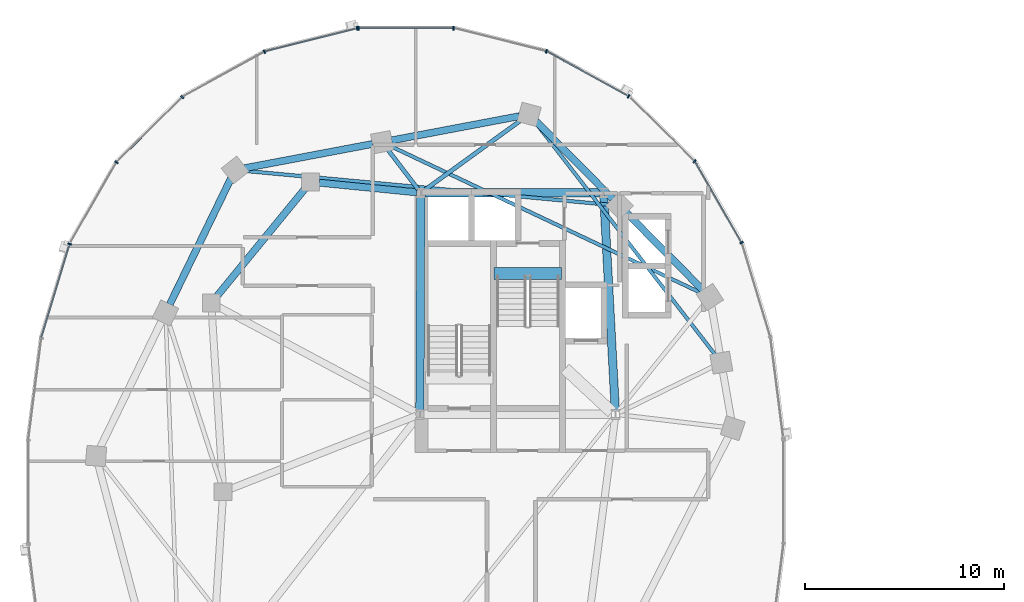
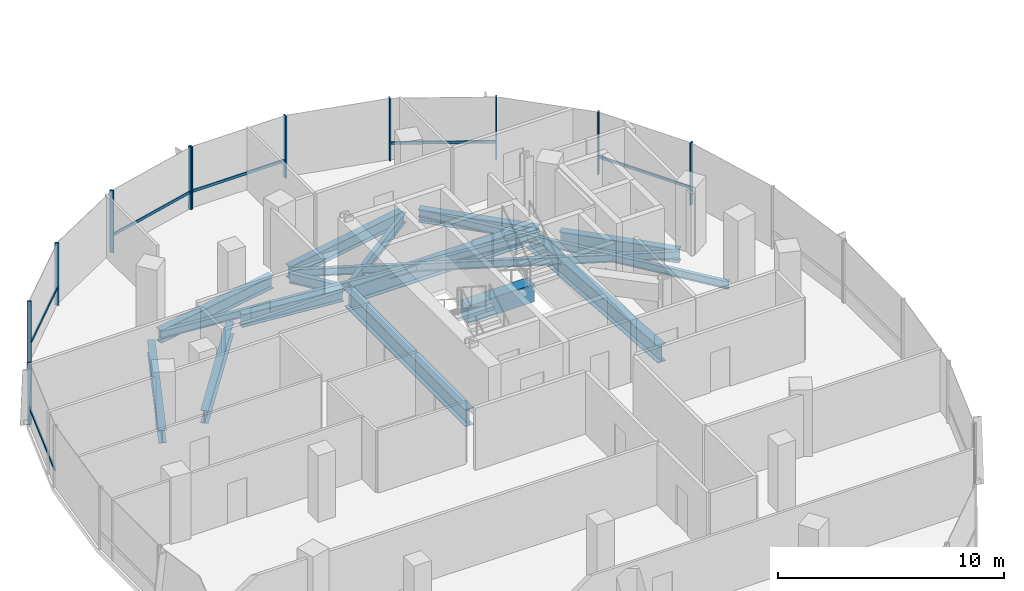
# One storey, part 5 of 23: 17 members, 16 beams, 2 elements without a shape of their own.
"""IFC4 building model written with IfcOpenShell, lengths in metres."""

from ifc_helpers import new_model, si_unit, direction, frame, origin, origin_2d, place, context, subcontext, project, spatial, rectangle, i_section, extrude, material, material_profile, profile_set, type_object, element, aggregate, save


model = new_model("IFC4")

# Units and contexts
model_context = context("Model", 3, precision=1e-05, world=origin(), true_north=direction((0.0, 1.0)))
body_context = subcontext(model_context, "Body", "Model", "MODEL_VIEW")
ifc_project = project(units=[si_unit("LENGTHUNIT", "METRE"), si_unit("AREAUNIT", "SQUARE_METRE"), si_unit("VOLUMEUNIT", "CUBIC_METRE"), si_unit("PLANEANGLEUNIT", "RADIAN"), si_unit("MASSUNIT", "GRAM", prefix="KILO"), si_unit("THERMODYNAMICTEMPERATUREUNIT", "KELVIN"), si_unit("POWERUNIT", "WATT")], contexts=[model_context])

# Site, building, storey
site_placement = place(None, origin())
site = spatial("IfcSite", under=ifc_project, at=site_placement, CompositionType="ELEMENT")
building_placement = place(site_placement, origin())
building = spatial("IfcBuilding", under=site, at=building_placement, Name="Cundina Bronze Exchange", CompositionType="ELEMENT")
storey_placement = place(building_placement, frame((0.0, 0.0, 176.39990234375)))
storey = spatial("IfcBuildingStorey", under=building, at=storey_placement, Name="L46", CompositionType="ELEMENT", Elevation=176.39990234375)

# Beams
ifc_material_1 = material(Name="Concrete C60/75", Category="concrete")
ifc_material_profile_1 = material_profile(ifc_material_1, rectangle(XDim=0.60009765625, YDim=0.949951171875, at=origin_2d()), Name="RC600X950", Category="concrete")
ifc_profile_set_1 = profile_set([ifc_material_profile_1], Name="Concrete C60/75")
beam_type_1 = type_object("IfcBeamType", Name="BM-COUP-RC950", PredefinedType="LINTEL", material=ifc_profile_set_1)
beam_1_placement = place(storey_placement, frame((-27.56005859375, 10.97998046875, -0.474853515625), z_axis=(1.0, 0.0, 0.0), x_axis=(0.0, 1.0, 0.0)))
element("IfcBeam", 1, at=beam_1_placement, inside=storey, type_object=beam_type_1, Name="L46 Stair W2 Landing Header Beam", PredefinedType="LINTEL", context=body_context, shape_type="SweptSolid", body=[
    extrude(rectangle(XDim=0.60009765625, YDim=0.949951171875, at=origin_2d()), origin(), (0.0, 0.0, 1.0), 3.400146484375),
])
ifc_material_2 = material(Name="Steel ASTM A992 Grade 50", Category="steel")
ifc_material_profile_2 = material_profile(ifc_material_2, i_section(OverallWidth=0.2119140625, OverallDepth=0.5439453125, WebThickness=0.01318359375, FlangeThickness=0.021240234375, FilletRadius=0.013916015625, at=origin_2d()), Name="W21X83", Category="steel")
ifc_profile_set_2 = profile_set([ifc_material_profile_2], Name="Steel ASTM A992 Grade 50")
beam_type_2 = type_object("IfcBeamType", Name="BM-FLR-W21A", PredefinedType="BEAM", material=ifc_profile_set_2)
beam_2_placement = place(storey_placement, frame((-31.084716796875, 15.169677734375, -0.511962890625), z_axis=(0.809693047063, 0.586853618492, 0.0), x_axis=(-0.586853618492, 0.809693047063, 0.0)))
element("IfcBeam", 2, at=beam_2_placement, inside=storey, type_object=beam_type_2, Name="L46 Leg W Radial Floor Beam 04", PredefinedType="BEAM", context=body_context, shape_type="SweptSolid", body=[
    extrude(i_section(OverallWidth=0.2119140625, OverallDepth=0.5439453125, WebThickness=0.01318359375, FlangeThickness=0.021240234375, FilletRadius=0.013916015625, at=origin_2d()), origin(), (0.0, 0.0, 1.0), 6.038818359375),
])
beam_3_placement = place(storey_placement, frame((-31.373779296875, 15.2119140625, -0.511962890625), z_axis=(-0.607450107571, 0.794357832977, 0.0), x_axis=(-0.794357832977, -0.607450107571, 0.0)))
element("IfcBeam", 3, at=beam_3_placement, inside=storey, type_object=beam_type_2, Name="L46 Leg W Radial Floor Beam 05", PredefinedType="BEAM", context=body_context, shape_type="SweptSolid", body=[
    extrude(i_section(OverallWidth=0.2119140625, OverallDepth=0.5439453125, WebThickness=0.01318359375, FlangeThickness=0.021240234375, FilletRadius=0.013916015625, at=origin_2d()), origin(), (0.0, 0.0, 1.0), 2.518310546875),
])
ifc_material_profile_3 = material_profile(ifc_material_2, i_section(OverallWidth=0.178955078125, OverallDepth=0.409912109375, WebThickness=0.0087890625, FlangeThickness=0.014404296875, FilletRadius=0.010986328125, at=origin_2d()), Name="W16X45", Category="steel")
ifc_profile_set_3 = profile_set([ifc_material_profile_3], Name="Steel ASTM A992 Grade 50")
beam_type_3 = type_object("IfcBeamType", Name="BM-JST-W16", PredefinedType="JOIST", material=ifc_profile_set_3)
beam_4_placement = place(storey_placement, frame((-16.423583984375, 6.885986328125, -0.44482421875), z_axis=(-0.61208354334, 0.790793105668, 0.0), x_axis=(-0.790793105668, -0.61208354334, 0.0)))
element("IfcBeam", 4, at=beam_4_placement, inside=storey, type_object=beam_type_3, Name="L46 Leg W Lobe Floor Joist 01-04", PredefinedType="JOIST", context=body_context, shape_type="SweptSolid", body=[
    extrude(i_section(OverallWidth=0.178955078125, OverallDepth=0.409912109375, WebThickness=0.0087890625, FlangeThickness=0.014404296875, FilletRadius=0.010986328125, at=origin_2d()), origin(), (0.0, 0.0, 1.0), 14.830810546875),
])
beam_5_placement = place(storey_placement, frame((-17.14111328125, 10.008544921875, -0.44482421875), z_axis=(-0.904074252188, 0.427375416385, 0.0), x_axis=(-0.427375416385, -0.904074252188, 0.0)))
element("IfcBeam", 5, at=beam_5_placement, inside=storey, type_object=beam_type_3, Name="L46 Leg W Lobe Floor Joist 02-05", PredefinedType="JOIST", context=body_context, shape_type="SweptSolid", body=[
    extrude(i_section(OverallWidth=0.178955078125, OverallDepth=0.409912109375, WebThickness=0.0087890625, FlangeThickness=0.014404296875, FilletRadius=0.010986328125, at=origin_2d()), origin(), (0.0, 0.0, 1.0), 17.274658203125),
])
beam_6_placement = place(storey_placement, frame((-21.73583984375, 14.4453125, -0.44482421875), z_axis=(-0.995701840093, 0.092616659595, 0.0), x_axis=(-0.092616659595, -0.995701840093, 0.0)))
element("IfcBeam", 6, at=beam_6_placement, inside=storey, type_object=beam_type_3, Name="L46 Leg W Lobe Floor Joist 03-06", PredefinedType="JOIST", context=body_context, shape_type="SweptSolid", body=[
    extrude(i_section(OverallWidth=0.178955078125, OverallDepth=0.409912109375, WebThickness=0.0087890625, FlangeThickness=0.014404296875, FilletRadius=0.010986328125, at=origin_2d()), origin(), (0.0, 0.0, 1.0), 18.45751953125),
])
ifc_material_profile_4 = material_profile(ifc_material_2, i_section(OverallWidth=0.35498046875, OverallDepth=0.695068359375, WebThickness=0.015380859375, FlangeThickness=0.02490234375, FilletRadius=0.01806640625, at=origin_2d()), Name="W27X146", Category="steel")
ifc_profile_set_4 = profile_set([ifc_material_profile_4], Name="Steel ASTM A992 Grade 50")
beam_type_4 = type_object("IfcBeamType", Name="BM-RING-W27", PredefinedType="USERDEFINED", material=ifc_profile_set_4)
beam_7_placement = place(storey_placement, frame((-31.452880859375, 15.070068359375, -0.58740234375), z_axis=(-0.995123020608, 0.098641643622, 0.0), x_axis=(-0.098641643622, -0.995123020608, 0.0)))
element("IfcBeam", 7, at=beam_7_placement, inside=storey, type_object=beam_type_4, Name="L46 W Inner Structural Ring Girder 01", ObjectType="GIRDER", PredefinedType="USERDEFINED", context=body_context, shape_type="SweptSolid", body=[
    extrude(i_section(OverallWidth=0.35498046875, OverallDepth=0.695068359375, WebThickness=0.015380859375, FlangeThickness=0.02490234375, FilletRadius=0.01806640625, at=origin_2d()), origin(), (0.0, 0.0, 1.0), 4.935302734375),
])
beam_8_placement = place(storey_placement, frame((-37.07763671875, 15.26123046875, -0.58740234375), z_axis=(-0.633912590175, -0.77340469873, 0.0), x_axis=(0.77340469873, -0.633912590175, 0.0)))
element("IfcBeam", 8, at=beam_8_placement, inside=storey, type_object=beam_type_4, Name="L46 W Inner Structural Ring Girder 02", ObjectType="GIRDER", PredefinedType="USERDEFINED", context=body_context, shape_type="SweptSolid", body=[
    extrude(i_section(OverallWidth=0.35498046875, OverallDepth=0.695068359375, WebThickness=0.015380859375, FlangeThickness=0.02490234375, FilletRadius=0.01806640625, at=origin_2d()), origin(), (0.0, 0.0, 1.0), 7.01123046875),
])
beam_9_placement = place(storey_placement, frame((-17.043212890625, 10.14697265625, -0.58740234375), z_axis=(-0.703230112979, 0.710962311378, 0.0), x_axis=(-0.710962311378, -0.703230112979, 0.0)))
element("IfcBeam", 9, at=beam_9_placement, inside=storey, type_object=beam_type_4, Name="L46 W Perimeter Ring Girder 02", ObjectType="GIRDER", PredefinedType="USERDEFINED", context=body_context, shape_type="SweptSolid", body=[
    extrude(i_section(OverallWidth=0.35498046875, OverallDepth=0.695068359375, WebThickness=0.015380859375, FlangeThickness=0.02490234375, FilletRadius=0.01806640625, at=origin_2d()), origin(), (0.0, 0.0, 1.0), 5.493896484375),
])
beam_10_placement = place(storey_placement, frame((-21.59326171875, 14.746826171875, -0.58740234375), z_axis=(-0.703207895705, 0.710984286337, 0.0), x_axis=(-0.710984286337, -0.703207895705, 0.0)))
element("IfcBeam", 10, at=beam_10_placement, inside=storey, type_object=beam_type_4, Name="L46 W Perimeter Ring Girder 03", ObjectType="GIRDER", PredefinedType="USERDEFINED", context=body_context, shape_type="SweptSolid", body=[
    extrude(i_section(OverallWidth=0.35498046875, OverallDepth=0.695068359375, WebThickness=0.015380859375, FlangeThickness=0.02490234375, FilletRadius=0.01806640625, at=origin_2d()), origin(), (0.0, 0.0, 1.0), 5.494140625),
])
beam_11_placement = place(storey_placement, frame((-26.279541015625, 18.9091796875, -0.58740234375), z_axis=(-0.982571532667, -0.185884865421, 0.0), x_axis=(0.185884865421, -0.982571532667, 0.0)))
element("IfcBeam", 11, at=beam_11_placement, inside=storey, type_object=beam_type_4, Name="L46 W Perimeter Ring Girder 04", ObjectType="GIRDER", PredefinedType="USERDEFINED", context=body_context, shape_type="SweptSolid", body=[
    extrude(i_section(OverallWidth=0.35498046875, OverallDepth=0.695068359375, WebThickness=0.015380859375, FlangeThickness=0.02490234375, FilletRadius=0.01806640625, at=origin_2d()), origin(), (0.0, 0.0, 1.0), 6.55517578125),
])
beam_12_placement = place(storey_placement, frame((-33.679443359375, 17.50927734375, -0.58740234375), z_axis=(-0.982572819495, -0.185878063226, 0.0), x_axis=(0.185878063226, -0.982572819495, 0.0)))
element("IfcBeam", 12, at=beam_12_placement, inside=storey, type_object=beam_type_4, Name="L46 W Perimeter Ring Girder 05", ObjectType="GIRDER", PredefinedType="USERDEFINED", context=body_context, shape_type="SweptSolid", body=[
    extrude(i_section(OverallWidth=0.35498046875, OverallDepth=0.695068359375, WebThickness=0.015380859375, FlangeThickness=0.02490234375, FilletRadius=0.01806640625, at=origin_2d()), origin(), (0.0, 0.0, 1.0), 6.555419921875),
])
beam_13_placement = place(storey_placement, frame((-40.8134765625, 15.760986328125, -0.58740234375), z_axis=(-0.437196998825, -0.89936576776, 0.0), x_axis=(0.89936576776, -0.437196998825, 0.0)))
element("IfcBeam", 13, at=beam_13_placement, inside=storey, type_object=beam_type_4, Name="L46 W Perimeter Ring Girder 06", ObjectType="GIRDER", PredefinedType="USERDEFINED", context=body_context, shape_type="SweptSolid", body=[
    extrude(i_section(OverallWidth=0.35498046875, OverallDepth=0.695068359375, WebThickness=0.015380859375, FlangeThickness=0.02490234375, FilletRadius=0.01806640625, at=origin_2d()), origin(), (0.0, 0.0, 1.0), 7.029541015625),
])
ifc_material_profile_5 = material_profile(ifc_material_2, i_section(OverallWidth=0.41796875, OverallDepth=0.927001953125, WebThickness=0.019287109375, FlangeThickness=0.031982421875, FilletRadius=0.02392578125, at=origin_2d()), Name="W36X231", Category="steel")
ifc_profile_set_5 = profile_set([ifc_material_profile_5], Name="Steel ASTM A992 Grade 50")
beam_type_5 = type_object("IfcBeamType", Name="BM-WRN-W36B", PredefinedType="USERDEFINED", material=ifc_profile_set_5)
beam_14_placement = place(storey_placement, frame((-21.4609375, 4.103759765625, -0.703369140625), z_axis=(-0.053739193498, 0.998555005537, 0.0), x_axis=(-0.998555005537, -0.053739193498, 0.0)))
element("IfcBeam", 14, at=beam_14_placement, inside=storey, type_object=beam_type_5, Name="L46 W Core Perimeter Tie Girder 2", ObjectType="GIRDER", PredefinedType="USERDEFINED", context=body_context, shape_type="SweptSolid", body=[
    extrude(i_section(OverallWidth=0.41796875, OverallDepth=0.927001953125, WebThickness=0.019287109375, FlangeThickness=0.031982421875, FilletRadius=0.02392578125, at=origin_2d()), origin(), (0.0, 0.0, 1.0), 10.758056640625),
])
beam_15_placement = place(storey_placement, frame((-22.25390625, 15.050048828125, -0.703369140625), z_axis=(-1.0, 0.0, 0.0), x_axis=(0.0, -1.0, 0.0)))
element("IfcBeam", 15, at=beam_15_placement, inside=storey, type_object=beam_type_5, Name="L46 W Core Perimeter Tie Girder 3", ObjectType="GIRDER", PredefinedType="USERDEFINED", context=body_context, shape_type="SweptSolid", body=[
    extrude(i_section(OverallWidth=0.41796875, OverallDepth=0.927001953125, WebThickness=0.019287109375, FlangeThickness=0.031982421875, FilletRadius=0.02392578125, at=origin_2d()), origin(), (0.0, 0.0, 1.0), 8.7919921875),
])
beam_16_placement = place(storey_placement, frame((-31.2509765625, 14.845947265625, -0.703369140625), z_axis=(-0.004477329608, -0.99998997671, 0.0), x_axis=(0.99998997671, -0.004477329608, 0.0)))
element("IfcBeam", 16, at=beam_16_placement, inside=storey, type_object=beam_type_5, Name="L46 W Core Perimeter Tie Girder 4", ObjectType="GIRDER", PredefinedType="USERDEFINED", context=body_context, shape_type="SweptSolid", body=[
    extrude(i_section(OverallWidth=0.41796875, OverallDepth=0.927001953125, WebThickness=0.019287109375, FlangeThickness=0.031982421875, FilletRadius=0.02392578125, at=origin_2d()), origin(), (0.0, 0.0, 1.0), 10.741943359375),
])

# Curtain wall, members
ifc_material_3 = material(Name="Anodised Bronze Aluminium 6063-T6", Category="aluminium")
curtain_wall_type = type_object("IfcCurtainWallType", Name="CWS-WST-PIN", PredefinedType="NOTDEFINED", material=ifc_material_3)
curtain_wall_1_placement = place(storey_placement, origin())
curtain_wall_1 = element("IfcCurtainWall", 17, at=curtain_wall_1_placement, inside=storey, type_object=curtain_wall_type, Name="L46 CW-04 Curtain Wall Run CWR-L46-W1", PredefinedType="NOTDEFINED")
ifc_material_profile_6 = material_profile(ifc_material_3, rectangle(XDim=0.070068359375, YDim=0.18994140625, at=origin_2d()), Name="AL70X190", Category="aluminium")
ifc_profile_set_6 = profile_set([ifc_material_profile_6], Name="Anodised Bronze Aluminium 6063-T6")
member_type_1 = type_object("IfcMemberType", Name="CWM-MUL-190", PredefinedType="MULLION", material=ifc_profile_set_6)
member_1_placement = place(storey_placement, frame((-15.10205078125, 12.541259765625, 0.0), z_axis=(0.0, 0.0, 1.0), x_axis=(-0.498487739754, 0.866896748936, 0.0)))
member_1 = element("IfcMember", 18, at=member_1_placement, type_object=member_type_1, Name="CW-04 Mullion 3", PredefinedType="MULLION", context=body_context, shape_type="SweptSolid", body=[
    extrude(rectangle(XDim=0.070068359375, YDim=0.18994140625, at=origin_2d()), origin(), (0.0, 0.0, 1.0), 3.360107421875),
])
member_2_placement = place(storey_placement, frame((-17.469482421875, 16.640380859375, 0.0), z_axis=(0.0, 0.0, 1.0), x_axis=(-0.712026045991, 0.702153052995, 0.0)))
member_2 = element("IfcMember", 19, at=member_2_placement, type_object=member_type_1, Name="CW-04 Mullion 4", PredefinedType="MULLION", context=body_context, shape_type="SweptSolid", body=[
    extrude(rectangle(XDim=0.070068359375, YDim=0.18994140625, at=origin_2d()), origin(), (0.0, 0.0, 1.0), 3.360107421875),
])
member_3_placement = place(storey_placement, frame((-20.79345703125, 19.906005859375, 0.0), z_axis=(0.0, 0.0, 1.0), x_axis=(-0.875885937035, 0.482518212408, 0.0)))
member_3 = element("IfcMember", 20, at=member_3_placement, type_object=member_type_1, Name="CW-04 Mullion 5", PredefinedType="MULLION", context=body_context, shape_type="SweptSolid", body=[
    extrude(rectangle(XDim=0.070068359375, YDim=0.18994140625, at=origin_2d()), origin(), (0.0, 0.0, 1.0), 3.360107421875),
])
member_4_placement = place(storey_placement, frame((-24.932373046875, 22.17626953125, 0.0), z_axis=(0.0, 0.0, 1.0), x_axis=(-0.970084240161, 0.242768546132, 0.0)))
member_4 = element("IfcMember", 21, at=member_4_placement, type_object=member_type_1, Name="CW-04 Mullion 6", PredefinedType="MULLION", context=body_context, shape_type="SweptSolid", body=[
    extrude(rectangle(XDim=0.070068359375, YDim=0.18994140625, at=origin_2d()), origin(), (0.0, 0.0, 1.0), 3.360107421875),
])
member_5_placement = place(storey_placement, frame((-29.60595703125, 23.3369140625, 0.0), z_axis=(0.0, 0.0, 1.0), x_axis=(-1.0, 0.0, 0.0)))
member_5 = element("IfcMember", 22, at=member_5_placement, type_object=member_type_1, Name="CW-04 Mullion 7", PredefinedType="MULLION", context=body_context, shape_type="SweptSolid", body=[
    extrude(rectangle(XDim=0.070068359375, YDim=0.18994140625, at=origin_2d()), origin(), (0.0, 0.0, 1.0), 3.360107421875),
])
member_6_placement = place(storey_placement, frame((-34.39404296875, 23.3369140625, 0.0), z_axis=(0.0, 0.0, 1.0), x_axis=(-1.0, 0.0, 0.0)))
member_6 = element("IfcMember", 23, at=member_6_placement, type_object=member_type_1, Name="CW-04 End Mullion", PredefinedType="MULLION", context=body_context, shape_type="SweptSolid", body=[
    extrude(rectangle(XDim=0.070068359375, YDim=0.18994140625, at=origin_2d()), origin(), (0.0, 0.0, 1.0), 3.360107421875),
])

curtain_wall_2_placement = place(storey_placement, origin())
curtain_wall_2 = element("IfcCurtainWall", 24, at=curtain_wall_2_placement, inside=storey, type_object=curtain_wall_type, Name="L46 CW-04 Curtain Wall Run CWR-L46-W2", PredefinedType="NOTDEFINED")
member_7_placement = place(storey_placement, frame((-34.462646484375, 23.32861328125, 0.0), z_axis=(0.0, 0.0, 1.0), x_axis=(-0.970084240161, -0.242768546132, 0.0)))
member_7 = element("IfcMember", 25, at=member_7_placement, type_object=member_type_1, Name="CW-04 Mullion 1", PredefinedType="MULLION", context=body_context, shape_type="SweptSolid", body=[
    extrude(rectangle(XDim=0.070068359375, YDim=0.18994140625, at=origin_2d()), origin(), (0.0, 0.0, 1.0), 3.360107421875),
])
member_8_placement = place(storey_placement, frame((-39.13037109375, 22.151611328125, 0.0), z_axis=(0.0, 0.0, 1.0), x_axis=(-0.875885937035, -0.482518212408, 0.0)))
member_8 = element("IfcMember", 26, at=member_8_placement, type_object=member_type_1, Name="CW-04 Mullion 2", PredefinedType="MULLION", context=body_context, shape_type="SweptSolid", body=[
    extrude(rectangle(XDim=0.070068359375, YDim=0.18994140625, at=origin_2d()), origin(), (0.0, 0.0, 1.0), 3.360107421875),
])
member_9_placement = place(storey_placement, frame((-43.259033203125, 19.86669921875, 0.0), z_axis=(0.0, 0.0, 1.0), x_axis=(-0.712026045991, -0.702153052995, 0.0)))
member_9 = element("IfcMember", 27, at=member_9_placement, type_object=member_type_1, Name="CW-04 Mullion 3", PredefinedType="MULLION", context=body_context, shape_type="SweptSolid", body=[
    extrude(rectangle(XDim=0.070068359375, YDim=0.18994140625, at=origin_2d()), origin(), (0.0, 0.0, 1.0), 3.360107421875),
])
member_10_placement = place(storey_placement, frame((-46.57080078125, 16.588134765625, 0.0), z_axis=(0.0, 0.0, 1.0), x_axis=(-0.498487739754, -0.866896748936, 0.0)))
member_10 = element("IfcMember", 28, at=member_10_placement, type_object=member_type_1, Name="CW-04 Mullion 4", PredefinedType="MULLION", context=body_context, shape_type="SweptSolid", body=[
    extrude(rectangle(XDim=0.070068359375, YDim=0.18994140625, at=origin_2d()), origin(), (0.0, 0.0, 1.0), 3.360107421875),
])
member_11_placement = place(storey_placement, frame((-48.92626953125, 12.4755859375, 0.0), z_axis=(0.0, 0.0, 1.0), x_axis=(-0.290034140915, -0.957016299288, 0.0)))
member_11 = element("IfcMember", 29, at=member_11_placement, type_object=member_type_1, Name="CW-04 Mullion 5", PredefinedType="MULLION", context=body_context, shape_type="SweptSolid", body=[
    extrude(rectangle(XDim=0.070068359375, YDim=0.18994140625, at=origin_2d()), origin(), (0.0, 0.0, 1.0), 3.360107421875),
])

# Member
ifc_material_profile_7 = material_profile(ifc_material_3, rectangle(XDim=0.06494140625, YDim=0.14990234375, at=origin_2d()), Name="AL65X150", Category="aluminium")
ifc_profile_set_7 = profile_set([ifc_material_profile_7], Name="Anodised Bronze Aluminium 6063-T6")
member_type_2 = type_object("IfcMemberType", Name="CWM-TRN-150", PredefinedType="USERDEFINED", material=ifc_profile_set_7)
member_12_placement = place(storey_placement, frame((-15.121337890625, 12.574462890625, 0.920166015625), z_axis=(-0.498479967047, 0.866901218394, 0.0), x_axis=(-0.866901218394, -0.498479967047, 0.0)))
member_12 = element("IfcMember", 30, at=member_12_placement, type_object=member_type_2, Name="CW-04 Spandrel Transom 3", ObjectType="TRANSOM", PredefinedType="USERDEFINED", context=body_context, shape_type="SweptSolid", body=[
    extrude(rectangle(XDim=0.06494140625, YDim=0.14990234375, at=origin_2d()), origin(), (0.0, 0.0, 1.0), 4.66845703125),
])

member_13_placement = place(storey_placement, frame((-20.8271484375, 19.924560546875, 0.920166015625), z_axis=(-0.875878981549, 0.482530838062, 0.0), x_axis=(-0.482530838062, -0.875878981549, 0.0)))
member_13 = element("IfcMember", 31, at=member_13_placement, type_object=member_type_2, Name="CW-04 Spandrel Transom 5", ObjectType="TRANSOM", PredefinedType="USERDEFINED", context=body_context, shape_type="SweptSolid", body=[
    extrude(rectangle(XDim=0.06494140625, YDim=0.14990234375, at=origin_2d()), origin(), (0.0, 0.0, 1.0), 4.65380859375),
])

member_14_placement = place(storey_placement, frame((-29.64453125, 23.3369140625, 0.920166015625), z_axis=(-1.0, 0.0, 0.0), x_axis=(0.0, -1.0, 0.0)))
member_14 = element("IfcMember", 32, at=member_14_placement, type_object=member_type_2, Name="CW-04 Spandrel Transom 7", ObjectType="TRANSOM", PredefinedType="USERDEFINED", context=body_context, shape_type="SweptSolid", body=[
    extrude(rectangle(XDim=0.06494140625, YDim=0.14990234375, at=origin_2d()), origin(), (0.0, 0.0, 1.0), 4.7109375),
])

aggregate(curtain_wall_1, [member_1, member_12, member_2, member_3, member_13, member_4, member_5, member_6, member_14])

member_15_placement = place(storey_placement, frame((-34.5, 23.319091796875, 0.920166015625), z_axis=(-0.970100130035, -0.242705042606, 0.0), x_axis=(0.242705042606, -0.970100130035, 0.0)))
member_15 = element("IfcMember", 33, at=member_15_placement, type_object=member_type_2, Name="CW-04 Spandrel Transom 1", ObjectType="TRANSOM", PredefinedType="USERDEFINED", context=body_context, shape_type="SweptSolid", body=[
    extrude(rectangle(XDim=0.06494140625, YDim=0.14990234375, at=origin_2d()), origin(), (0.0, 0.0, 1.0), 4.746826171875),
])

member_16_placement = place(storey_placement, frame((-43.28662109375, 19.839599609375, 0.920166015625), z_axis=(-0.712005023839, -0.702174370102, 0.0), x_axis=(0.702174370102, -0.712005023839, 0.0)))
member_16 = element("IfcMember", 34, at=member_16_placement, type_object=member_type_2, Name="CW-04 Spandrel Transom 3", ObjectType="TRANSOM", PredefinedType="USERDEFINED", context=body_context, shape_type="SweptSolid", body=[
    extrude(rectangle(XDim=0.06494140625, YDim=0.14990234375, at=origin_2d()), origin(), (0.0, 0.0, 1.0), 4.594482421875),
])

member_17_placement = place(storey_placement, frame((-48.937255859375, 12.43896484375, 0.920166015625), z_axis=(-0.290051855969, -0.957010930371, 0.0), x_axis=(0.957010930371, -0.290051855969, 0.0)))
member_17 = element("IfcMember", 35, at=member_17_placement, type_object=member_type_2, Name="CW-04 Spandrel Transom 5", ObjectType="TRANSOM", PredefinedType="USERDEFINED", context=body_context, shape_type="SweptSolid", body=[
    extrude(rectangle(XDim=0.06494140625, YDim=0.14990234375, at=origin_2d()), origin(), (0.0, 0.0, 1.0), 4.876953125),
])

aggregate(curtain_wall_2, [member_7, member_15, member_8, member_9, member_16, member_10, member_11, member_17])

save(model, "model.ifc")
